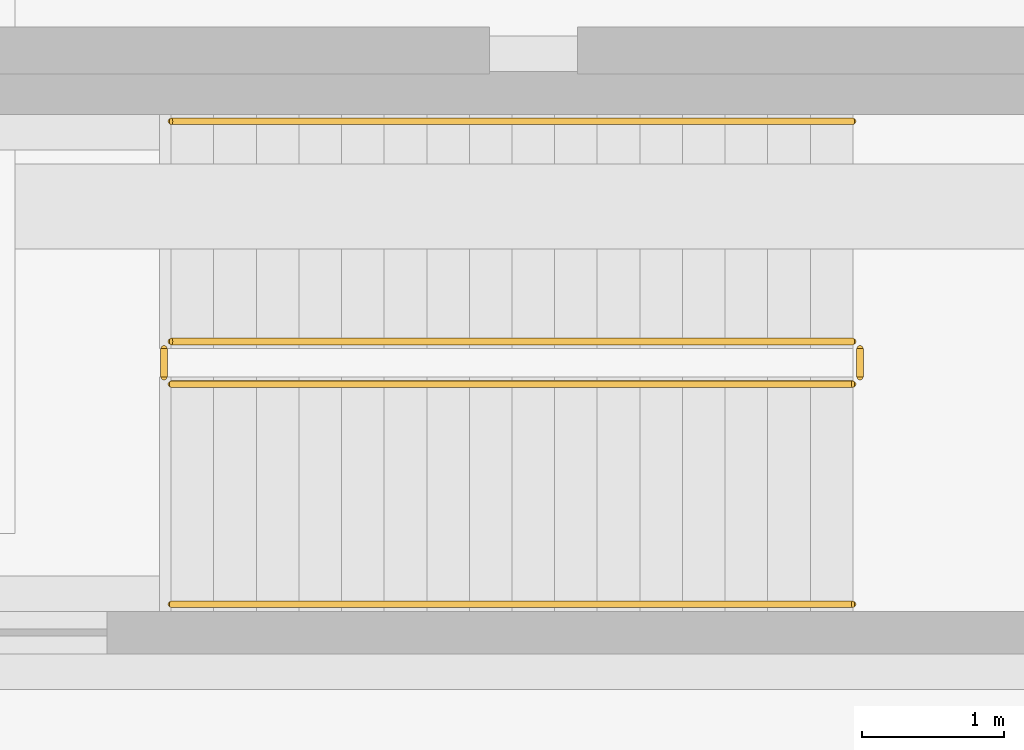
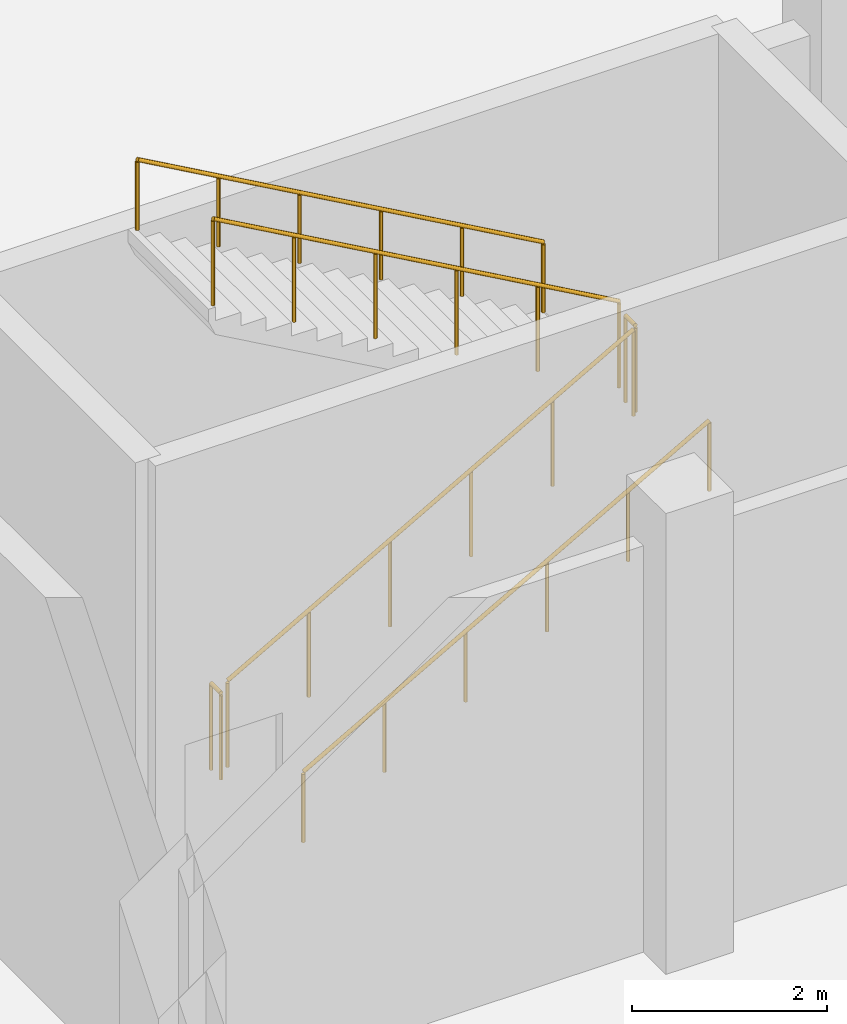
# One storey, part 94 of 103: 6 railings.
"""IFC4 building model written with IfcOpenShell, lengths in metres."""

from ifc_helpers import new_model, si_unit, direction, frame, origin, origin_2d, place, context, subcontext, project, spatial, circle, extrude, material, type_object, element, save


model = new_model("IFC4")

# Units and contexts
model_context = context("Model", 3, precision=1e-05, world=origin(), true_north=direction((0.0, 1.0)))
body_context = subcontext(model_context, "Body", "Model", "MODEL_VIEW")
ifc_project = project(units=[si_unit("LENGTHUNIT", "METRE"), si_unit("AREAUNIT", "SQUARE_METRE"), si_unit("VOLUMEUNIT", "CUBIC_METRE"), si_unit("PLANEANGLEUNIT", "RADIAN"), si_unit("MASSUNIT", "GRAM", prefix="KILO")], contexts=[model_context])

# Site, building, storey
site_placement = place(None, origin())
site = spatial("IfcSite", under=ifc_project, at=site_placement, CompositionType="ELEMENT")
building_placement = place(site_placement, origin())
building = spatial("IfcBuilding", under=site, at=building_placement, Name="Dunvalen Ferry Terminal", CompositionType="ELEMENT")
storey_placement = place(building_placement, origin())
storey = spatial("IfcBuildingStorey", under=building, at=storey_placement, Name="L00", CompositionType="ELEMENT", Elevation=0.0)

# Railings
ifc_material_1 = material(Name="Painted galvanised steel S275", Category="steel")
railing_type_1 = type_object("IfcRailingType", Name="INT-RL-STGRD", PredefinedType="GUARDRAIL", material=ifc_material_1)
railing_1_placement = place(storey_placement, frame((111.449951171875, 40.85009765625, 0.16943359375)))
element("IfcRailing", 1, at=railing_1_placement, inside=storey, type_object=railing_type_1, Name="L00 ST4 stair guard 1", PredefinedType="GUARDRAIL", context=body_context, shape_type="SweptSolid", body=[
    extrude(circle(Radius=0.02392578125, at=origin_2d()), frame((0.0, 0.0, 1.076171875), z_axis=(0.870766506294, 0.0, 0.491696747514), x_axis=(0.0, 1.0, 0.0)), (0.0, 0.0, 1.0), 5.512451171875),
    extrude(circle(Radius=0.02099609375, at=origin_2d()), origin(), (0.0, 0.0, 1.0), 1.052001953125),
    extrude(circle(Radius=0.02099609375, at=origin_2d()), frame((0.9599609375, 0.0, 0.5419921875)), (0.0, 0.0, 1.0), 1.052001953125),
    extrude(circle(Radius=0.02099609375, at=origin_2d()), frame((1.919921875, 0.0, 1.084228515625)), (0.0, 0.0, 1.0), 1.052001953125),
    extrude(circle(Radius=0.02099609375, at=origin_2d()), frame((2.880126953125, 0.0, 1.626220703125)), (0.0, 0.0, 1.0), 1.052001953125),
    extrude(circle(Radius=0.02099609375, at=origin_2d()), frame((3.840087890625, 0.0, 2.16845703125)), (0.0, 0.0, 1.0), 1.052001953125),
    extrude(circle(Radius=0.02099609375, at=origin_2d()), frame((4.800048828125, 0.0, 2.71044921875)), (0.0, 0.0, 1.0), 1.052001953125),
])
railing_2_placement = place(storey_placement, frame((116.300048828125, 40.89990234375, 2.8798828125)))
element("IfcRailing", 2, at=railing_2_placement, inside=storey, type_object=railing_type_1, Name="L00 ST4 stair guard 2", PredefinedType="GUARDRAIL", context=body_context, shape_type="SweptSolid", body=[
    extrude(circle(Radius=0.02392578125, at=origin_2d()), frame((0.0, 0.0, 1.076171875), z_axis=(0.0, 1.0, 0.0), x_axis=(-1.0, 0.0, 0.0)), (0.0, 0.0, 1.0), 0.2001953125),
    extrude(circle(Radius=0.02099609375, at=origin_2d()), origin(), (0.0, 0.0, 1.0), 1.052001953125),
    extrude(circle(Radius=0.02099609375, at=origin_2d()), frame((0.0, 0.2001953125, 0.0)), (0.0, 0.0, 1.0), 1.052001953125),
])
railing_3_placement = place(storey_placement, frame((116.25, 41.14990234375, 3.04931640625)))
element("IfcRailing", 3, at=railing_3_placement, inside=storey, type_object=railing_type_1, Name="L00 ST4 stair guard 3", PredefinedType="GUARDRAIL", context=body_context, shape_type="SweptSolid", body=[
    extrude(circle(Radius=0.02392578125, at=origin_2d()), frame((0.0, 0.0, 1.076171875), z_axis=(-0.870747543578, 0.0, 0.491730327875), x_axis=(0.0, -1.0, 0.0)), (0.0, 0.0, 1.0), 5.512451171875),
    extrude(circle(Radius=0.02099609375, at=origin_2d()), origin(), (0.0, 0.0, 1.0), 1.052001953125),
    extrude(circle(Radius=0.02099609375, at=origin_2d()), frame((-0.9599609375, 0.0, 0.542236328125)), (0.0, 0.0, 1.0), 1.052001953125),
    extrude(circle(Radius=0.02099609375, at=origin_2d()), frame((-1.919921875, 0.0, 1.084228515625)), (0.0, 0.0, 1.0), 1.052001953125),
    extrude(circle(Radius=0.02099609375, at=origin_2d()), frame((-2.880126953125, 0.0, 1.62646484375)), (0.0, 0.0, 1.0), 1.052001953125),
    extrude(circle(Radius=0.02099609375, at=origin_2d()), frame((-3.840087890625, 0.0, 2.16845703125)), (0.0, 0.0, 1.0), 1.052001953125),
    extrude(circle(Radius=0.02099609375, at=origin_2d()), frame((-4.800048828125, 0.0, 2.710693359375)), (0.0, 0.0, 1.0), 1.052001953125),
])
railing_4_placement = place(storey_placement, frame((111.39990234375, 40.89990234375, 0.0)))
element("IfcRailing", 4, at=railing_4_placement, inside=storey, type_object=railing_type_1, Name="L00 ST4 stair guard 4", PredefinedType="GUARDRAIL", context=body_context, shape_type="SweptSolid", body=[
    extrude(circle(Radius=0.02392578125, at=origin_2d()), frame((0.0, 0.0, 1.076171875), z_axis=(0.0, 1.0, 0.0), x_axis=(-1.0, 0.0, 0.0)), (0.0, 0.0, 1.0), 0.2001953125),
    extrude(circle(Radius=0.02099609375, at=origin_2d()), origin(), (0.0, 0.0, 1.0), 1.052001953125),
    extrude(circle(Radius=0.02099609375, at=origin_2d()), frame((0.0, 0.2001953125, 0.0)), (0.0, 0.0, 1.0), 1.052001953125),
])
ifc_material_2 = material(Name="Brushed 316 stainless steel", Category="steel")
railing_type_2 = type_object("IfcRailingType", Name="INT-RL-STHND", PredefinedType="HANDRAIL", material=ifc_material_2)
railing_5_placement = place(storey_placement, frame((111.449951171875, 39.300048828125, 0.16943359375)))
element("IfcRailing", 5, at=railing_5_placement, inside=storey, type_object=railing_type_2, Name="L00 ST4 stair handrail 1", PredefinedType="HANDRAIL", context=body_context, shape_type="SweptSolid", body=[
    extrude(circle(Radius=0.02392578125, at=origin_2d()), frame((0.0, 0.0, 0.8759765625), z_axis=(0.870766506294, 0.0, 0.491696747514), x_axis=(0.0, 1.0, 0.0)), (0.0, 0.0, 1.0), 5.512451171875),
    extrude(circle(Radius=0.02099609375, at=origin_2d()), origin(), (0.0, 0.0, 1.0), 0.851806640625),
    extrude(circle(Radius=0.02099609375, at=origin_2d()), frame((0.9599609375, 0.0, 0.5419921875)), (0.0, 0.0, 1.0), 0.851806640625),
    extrude(circle(Radius=0.02099609375, at=origin_2d()), frame((1.919921875, 0.0, 1.084228515625)), (0.0, 0.0, 1.0), 0.851806640625),
    extrude(circle(Radius=0.02099609375, at=origin_2d()), frame((2.880126953125, 0.0, 1.626220703125)), (0.0, 0.0, 1.0), 0.851806640625),
    extrude(circle(Radius=0.02099609375, at=origin_2d()), frame((3.840087890625, 0.0, 2.16845703125)), (0.0, 0.0, 1.0), 0.851806640625),
    extrude(circle(Radius=0.02099609375, at=origin_2d()), frame((4.800048828125, 0.0, 2.71044921875)), (0.0, 0.0, 1.0), 0.851806640625),
])
railing_6_placement = place(storey_placement, frame((116.25, 42.699951171875, 3.04931640625)))
element("IfcRailing", 6, at=railing_6_placement, inside=storey, type_object=railing_type_2, Name="L00 ST4 stair handrail 2", PredefinedType="HANDRAIL", context=body_context, shape_type="SweptSolid", body=[
    extrude(circle(Radius=0.02392578125, at=origin_2d()), frame((0.0, 0.0, 0.8759765625), z_axis=(-0.870747543578, 0.0, 0.491730327875), x_axis=(0.0, -1.0, 0.0)), (0.0, 0.0, 1.0), 5.512451171875),
    extrude(circle(Radius=0.02099609375, at=origin_2d()), origin(), (0.0, 0.0, 1.0), 0.851806640625),
    extrude(circle(Radius=0.02099609375, at=origin_2d()), frame((-0.9599609375, 0.0, 0.542236328125)), (0.0, 0.0, 1.0), 0.851806640625),
    extrude(circle(Radius=0.02099609375, at=origin_2d()), frame((-1.919921875, 0.0, 1.084228515625)), (0.0, 0.0, 1.0), 0.851806640625),
    extrude(circle(Radius=0.02099609375, at=origin_2d()), frame((-2.880126953125, 0.0, 1.62646484375)), (0.0, 0.0, 1.0), 0.851806640625),
    extrude(circle(Radius=0.02099609375, at=origin_2d()), frame((-3.840087890625, 0.0, 2.16845703125)), (0.0, 0.0, 1.0), 0.851806640625),
    extrude(circle(Radius=0.02099609375, at=origin_2d()), frame((-4.800048828125, 0.0, 2.710693359375)), (0.0, 0.0, 1.0), 0.851806640625),
])

save(model, "model.ifc")
